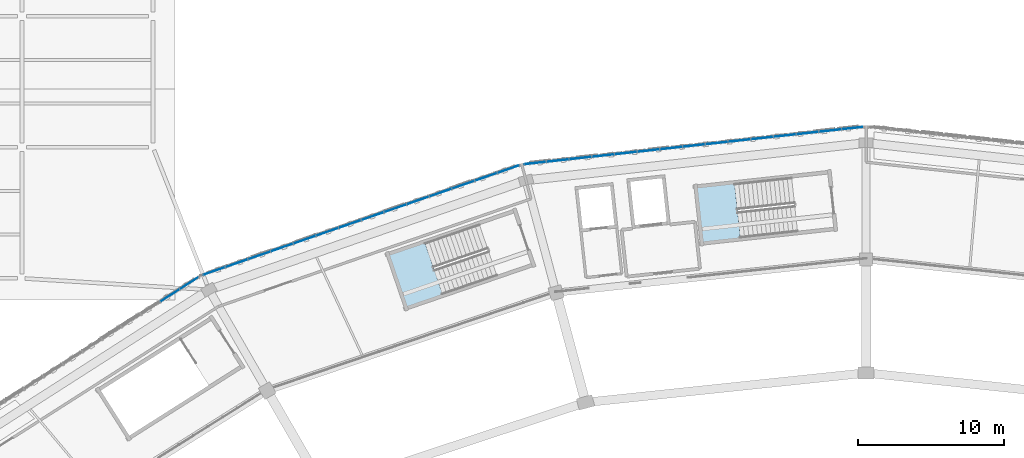
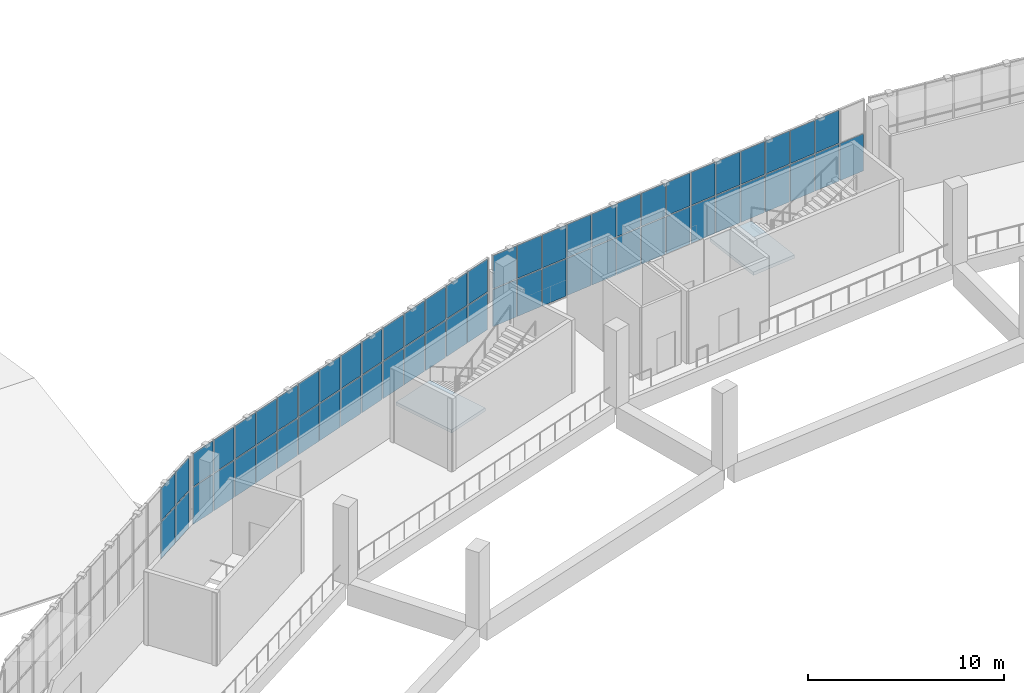
# One storey, part 62 of 108: 61 plates, 2 slabs, 5 elements without a shape of their own.
"""IFC4 building model written with IfcOpenShell, lengths in metres."""

from ifc_helpers import new_model, si_unit, direction, frame, origin, origin_2d, place, context, subcontext, project, spatial, polyline, rectangle, outline, extrude, material, layer, layer_set, type_object, element, aggregate, save


model = new_model("IFC4")

# Units and contexts
model_context = context("Model", 3, precision=1e-05, world=origin(), true_north=direction((0.0, 1.0)))
body_context = subcontext(model_context, "Body", "Model", "MODEL_VIEW")
ifc_project = project(units=[si_unit("LENGTHUNIT", "METRE"), si_unit("AREAUNIT", "SQUARE_METRE"), si_unit("VOLUMEUNIT", "CUBIC_METRE"), si_unit("PLANEANGLEUNIT", "RADIAN"), si_unit("MASSUNIT", "GRAM", prefix="KILO")], contexts=[model_context])

# Site, building, storey
site_placement = place(None, origin())
site = spatial("IfcSite", under=ifc_project, at=site_placement, CompositionType="ELEMENT")
building_placement = place(site_placement, origin())
building = spatial("IfcBuilding", under=site, at=building_placement, Name="Zevraka Park Crest Stadium", CompositionType="ELEMENT")
storey_placement = place(building_placement, frame((0.0, 0.0, 19.800048828125)))
storey = spatial("IfcBuildingStorey", under=building, at=storey_placement, Name="L04", CompositionType="ELEMENT", Elevation=19.800048828125)

# Curtain wall, plates
ifc_material_1 = material(Name="Anodised architectural aluminium and laminated safety glass", Category="aluminium")
curtain_wall_type_1 = type_object("IfcCurtainWallType", Name="CW16", PredefinedType="NOTDEFINED", material=ifc_material_1)
curtain_wall_1_placement = place(storey_placement, origin())
curtain_wall_1 = element("IfcCurtainWall", 1, at=curtain_wall_1_placement, inside=storey, type_object=curtain_wall_type_1, Name="Unitised Ring Curtain Wall CW16 L04-06", PredefinedType="NOTDEFINED")
ifc_material_2 = material(Name="Solar-control laminated double glazing", Category="glass")
ifc_layer_1 = layer(ifc_material_2, 0.031982421875)
ifc_layer_set_1 = layer_set([ifc_layer_1], Name="Solar-control laminated double glazing")
plate_type_1 = type_object("IfcPlateType", Name="CP16", PredefinedType="CURTAIN_PANEL", material=ifc_layer_set_1)
plate_1_placement = place(storey_placement, frame((111.074951171875, 168.3173828125, 0.059814453125), z_axis=(0.0, 0.0, 1.0), x_axis=(-0.993997152844, -0.109405941967, 0.0)))
plate_1 = element("IfcPlate", 2, at=plate_1_placement, type_object=plate_type_1, Name="CW16 panel 1.1", PredefinedType="CURTAIN_PANEL", context=body_context, shape_type="SweptSolid", body=[
    extrude(rectangle(XDim=1.479736328125, YDim=0.031982421875, at=origin_2d()), origin(), (0.0, 0.0, 1.0), 2.31005859375),
])
plate_2_placement = place(storey_placement, frame((109.529541015625, 168.1474609375, 0.059814453125), z_axis=(0.0, 0.0, 1.0), x_axis=(-0.993997152844, -0.109405941967, 0.0)))
plate_2 = element("IfcPlate", 3, at=plate_2_placement, type_object=plate_type_1, Name="CW16 panel 2.1", PredefinedType="CURTAIN_PANEL", context=body_context, shape_type="SweptSolid", body=[
    extrude(rectangle(XDim=1.509765625, YDim=0.031982421875, at=origin_2d()), origin(), (0.0, 0.0, 1.0), 2.31005859375),
])
plate_3_placement = place(storey_placement, frame((109.529541015625, 168.1474609375, 2.4296875), z_axis=(0.0, 0.0, 1.0), x_axis=(-0.993997152844, -0.109405941967, 0.0)))
plate_3 = element("IfcPlate", 4, at=plate_3_placement, type_object=plate_type_1, Name="CW16 panel 2.2", PredefinedType="CURTAIN_PANEL", context=body_context, shape_type="SweptSolid", body=[
    extrude(rectangle(XDim=1.509765625, YDim=0.031982421875, at=origin_2d()), origin(), (0.0, 0.0, 1.0), 2.050048828125),
])
plate_4_placement = place(storey_placement, frame((107.96923828125, 167.9755859375, 0.059814453125), z_axis=(0.0, 0.0, 1.0), x_axis=(-0.993997152844, -0.109405941967, 0.0)))
plate_4 = element("IfcPlate", 5, at=plate_4_placement, type_object=plate_type_1, Name="CW16 panel 3.1", PredefinedType="CURTAIN_PANEL", context=body_context, shape_type="SweptSolid", body=[
    extrude(rectangle(XDim=1.509765625, YDim=0.031982421875, at=origin_2d()), origin(), (0.0, 0.0, 1.0), 2.31005859375),
])
plate_5_placement = place(storey_placement, frame((107.96923828125, 167.9755859375, 2.4296875), z_axis=(0.0, 0.0, 1.0), x_axis=(-0.993997152844, -0.109405941967, 0.0)))
plate_5 = element("IfcPlate", 6, at=plate_5_placement, type_object=plate_type_1, Name="CW16 panel 3.2", PredefinedType="CURTAIN_PANEL", context=body_context, shape_type="SweptSolid", body=[
    extrude(rectangle(XDim=1.509765625, YDim=0.031982421875, at=origin_2d()), origin(), (0.0, 0.0, 1.0), 2.050048828125),
])
plate_6_placement = place(storey_placement, frame((106.4091796875, 167.803955078125, 0.059814453125), z_axis=(0.0, 0.0, 1.0), x_axis=(-0.993997152844, -0.109405941967, 0.0)))
plate_6 = element("IfcPlate", 7, at=plate_6_placement, type_object=plate_type_1, Name="CW16 panel 4.1", PredefinedType="CURTAIN_PANEL", context=body_context, shape_type="SweptSolid", body=[
    extrude(rectangle(XDim=1.509765625, YDim=0.031982421875, at=origin_2d()), origin(), (0.0, 0.0, 1.0), 2.31005859375),
])
plate_7_placement = place(storey_placement, frame((106.4091796875, 167.803955078125, 2.4296875), z_axis=(0.0, 0.0, 1.0), x_axis=(-0.993997152844, -0.109405941967, 0.0)))
plate_7 = element("IfcPlate", 8, at=plate_7_placement, type_object=plate_type_1, Name="CW16 panel 4.2", PredefinedType="CURTAIN_PANEL", context=body_context, shape_type="SweptSolid", body=[
    extrude(rectangle(XDim=1.509765625, YDim=0.031982421875, at=origin_2d()), origin(), (0.0, 0.0, 1.0), 2.050048828125),
])
plate_8_placement = place(storey_placement, frame((104.848876953125, 167.632080078125, 0.059814453125), z_axis=(0.0, 0.0, 1.0), x_axis=(-0.993997152844, -0.109405941967, 0.0)))
plate_8 = element("IfcPlate", 9, at=plate_8_placement, type_object=plate_type_1, Name="CW16 panel 5.1", PredefinedType="CURTAIN_PANEL", context=body_context, shape_type="SweptSolid", body=[
    extrude(rectangle(XDim=1.509765625, YDim=0.031982421875, at=origin_2d()), origin(), (0.0, 0.0, 1.0), 2.31005859375),
])
plate_9_placement = place(storey_placement, frame((104.848876953125, 167.632080078125, 2.4296875), z_axis=(0.0, 0.0, 1.0), x_axis=(-0.993997152844, -0.109405941967, 0.0)))
plate_9 = element("IfcPlate", 10, at=plate_9_placement, type_object=plate_type_1, Name="CW16 panel 5.2", PredefinedType="CURTAIN_PANEL", context=body_context, shape_type="SweptSolid", body=[
    extrude(rectangle(XDim=1.509765625, YDim=0.031982421875, at=origin_2d()), origin(), (0.0, 0.0, 1.0), 2.050048828125),
])
plate_10_placement = place(storey_placement, frame((103.28857421875, 167.46044921875, 0.059814453125), z_axis=(0.0, 0.0, 1.0), x_axis=(-0.993997152844, -0.109405941967, 0.0)))
plate_10 = element("IfcPlate", 11, at=plate_10_placement, type_object=plate_type_1, Name="CW16 panel 6.1", PredefinedType="CURTAIN_PANEL", context=body_context, shape_type="SweptSolid", body=[
    extrude(rectangle(XDim=1.509765625, YDim=0.031982421875, at=origin_2d()), origin(), (0.0, 0.0, 1.0), 2.31005859375),
])
plate_11_placement = place(storey_placement, frame((103.28857421875, 167.46044921875, 2.4296875), z_axis=(0.0, 0.0, 1.0), x_axis=(-0.993997152844, -0.109405941967, 0.0)))
plate_11 = element("IfcPlate", 12, at=plate_11_placement, type_object=plate_type_1, Name="CW16 panel 6.2", PredefinedType="CURTAIN_PANEL", context=body_context, shape_type="SweptSolid", body=[
    extrude(rectangle(XDim=1.509765625, YDim=0.031982421875, at=origin_2d()), origin(), (0.0, 0.0, 1.0), 2.050048828125),
])
plate_12_placement = place(storey_placement, frame((101.728271484375, 167.288818359375, 0.059814453125), z_axis=(0.0, 0.0, 1.0), x_axis=(-0.993997152844, -0.109405941967, 0.0)))
plate_12 = element("IfcPlate", 13, at=plate_12_placement, type_object=plate_type_1, Name="CW16 panel 7.1", PredefinedType="CURTAIN_PANEL", context=body_context, shape_type="SweptSolid", body=[
    extrude(rectangle(XDim=1.509765625, YDim=0.031982421875, at=origin_2d()), origin(), (0.0, 0.0, 1.0), 2.31005859375),
])
plate_13_placement = place(storey_placement, frame((101.728271484375, 167.288818359375, 2.4296875), z_axis=(0.0, 0.0, 1.0), x_axis=(-0.993997152844, -0.109405941967, 0.0)))
plate_13 = element("IfcPlate", 14, at=plate_13_placement, type_object=plate_type_1, Name="CW16 panel 7.2", PredefinedType="CURTAIN_PANEL", context=body_context, shape_type="SweptSolid", body=[
    extrude(rectangle(XDim=1.509765625, YDim=0.031982421875, at=origin_2d()), origin(), (0.0, 0.0, 1.0), 2.050048828125),
])
plate_14_placement = place(storey_placement, frame((100.16796875, 167.116943359375, 0.059814453125), z_axis=(0.0, 0.0, 1.0), x_axis=(-0.993997152844, -0.109405941967, 0.0)))
plate_14 = element("IfcPlate", 15, at=plate_14_placement, type_object=plate_type_1, Name="CW16 panel 8.1", PredefinedType="CURTAIN_PANEL", context=body_context, shape_type="SweptSolid", body=[
    extrude(rectangle(XDim=1.509765625, YDim=0.031982421875, at=origin_2d()), origin(), (0.0, 0.0, 1.0), 2.31005859375),
])
plate_15_placement = place(storey_placement, frame((100.16796875, 167.116943359375, 2.4296875), z_axis=(0.0, 0.0, 1.0), x_axis=(-0.993997152844, -0.109405941967, 0.0)))
plate_15 = element("IfcPlate", 16, at=plate_15_placement, type_object=plate_type_1, Name="CW16 panel 8.2", PredefinedType="CURTAIN_PANEL", context=body_context, shape_type="SweptSolid", body=[
    extrude(rectangle(XDim=1.509765625, YDim=0.031982421875, at=origin_2d()), origin(), (0.0, 0.0, 1.0), 2.050048828125),
])
plate_16_placement = place(storey_placement, frame((98.607666015625, 166.9453125, 0.059814453125), z_axis=(0.0, 0.0, 1.0), x_axis=(-0.993997152844, -0.109405941967, 0.0)))
plate_16 = element("IfcPlate", 17, at=plate_16_placement, type_object=plate_type_1, Name="CW16 panel 9.1", PredefinedType="CURTAIN_PANEL", context=body_context, shape_type="SweptSolid", body=[
    extrude(rectangle(XDim=1.509765625, YDim=0.031982421875, at=origin_2d()), origin(), (0.0, 0.0, 1.0), 2.31005859375),
])
plate_17_placement = place(storey_placement, frame((98.607666015625, 166.9453125, 2.4296875), z_axis=(0.0, 0.0, 1.0), x_axis=(-0.993997152844, -0.109405941967, 0.0)))
plate_17 = element("IfcPlate", 18, at=plate_17_placement, type_object=plate_type_1, Name="CW16 panel 9.2", PredefinedType="CURTAIN_PANEL", context=body_context, shape_type="SweptSolid", body=[
    extrude(rectangle(XDim=1.509765625, YDim=0.031982421875, at=origin_2d()), origin(), (0.0, 0.0, 1.0), 2.050048828125),
])
plate_18_placement = place(storey_placement, frame((97.04736328125, 166.7734375, 0.059814453125), z_axis=(0.0, 0.0, 1.0), x_axis=(-0.993997152844, -0.109405941967, 0.0)))
plate_18 = element("IfcPlate", 19, at=plate_18_placement, type_object=plate_type_1, Name="CW16 panel 10.1", PredefinedType="CURTAIN_PANEL", context=body_context, shape_type="SweptSolid", body=[
    extrude(rectangle(XDim=1.509765625, YDim=0.031982421875, at=origin_2d()), origin(), (0.0, 0.0, 1.0), 2.31005859375),
])
plate_19_placement = place(storey_placement, frame((97.04736328125, 166.7734375, 2.4296875), z_axis=(0.0, 0.0, 1.0), x_axis=(-0.993997152844, -0.109405941967, 0.0)))
plate_19 = element("IfcPlate", 20, at=plate_19_placement, type_object=plate_type_1, Name="CW16 panel 10.2", PredefinedType="CURTAIN_PANEL", context=body_context, shape_type="SweptSolid", body=[
    extrude(rectangle(XDim=1.509765625, YDim=0.031982421875, at=origin_2d()), origin(), (0.0, 0.0, 1.0), 2.050048828125),
])
plate_20_placement = place(storey_placement, frame((95.4873046875, 166.601806640625, 0.059814453125), z_axis=(0.0, 0.0, 1.0), x_axis=(-0.993997152844, -0.109405941967, 0.0)))
plate_20 = element("IfcPlate", 21, at=plate_20_placement, type_object=plate_type_1, Name="CW16 panel 11.1", PredefinedType="CURTAIN_PANEL", context=body_context, shape_type="SweptSolid", body=[
    extrude(rectangle(XDim=1.509765625, YDim=0.031982421875, at=origin_2d()), origin(), (0.0, 0.0, 1.0), 2.31005859375),
])
plate_21_placement = place(storey_placement, frame((95.4873046875, 166.601806640625, 2.4296875), z_axis=(0.0, 0.0, 1.0), x_axis=(-0.993997152844, -0.109405941967, 0.0)))
plate_21 = element("IfcPlate", 22, at=plate_21_placement, type_object=plate_type_1, Name="CW16 panel 11.2", PredefinedType="CURTAIN_PANEL", context=body_context, shape_type="SweptSolid", body=[
    extrude(rectangle(XDim=1.509765625, YDim=0.031982421875, at=origin_2d()), origin(), (0.0, 0.0, 1.0), 2.050048828125),
])
plate_22_placement = place(storey_placement, frame((93.927001953125, 166.43017578125, 0.059814453125), z_axis=(0.0, 0.0, 1.0), x_axis=(-0.993997152844, -0.109405941967, 0.0)))
plate_22 = element("IfcPlate", 23, at=plate_22_placement, type_object=plate_type_1, Name="CW16 panel 12.1", PredefinedType="CURTAIN_PANEL", context=body_context, shape_type="SweptSolid", body=[
    extrude(rectangle(XDim=1.509765625, YDim=0.031982421875, at=origin_2d()), origin(), (0.0, 0.0, 1.0), 2.31005859375),
])
plate_23_placement = place(storey_placement, frame((93.927001953125, 166.43017578125, 2.4296875), z_axis=(0.0, 0.0, 1.0), x_axis=(-0.993997152844, -0.109405941967, 0.0)))
plate_23 = element("IfcPlate", 24, at=plate_23_placement, type_object=plate_type_1, Name="CW16 panel 12.2", PredefinedType="CURTAIN_PANEL", context=body_context, shape_type="SweptSolid", body=[
    extrude(rectangle(XDim=1.509765625, YDim=0.031982421875, at=origin_2d()), origin(), (0.0, 0.0, 1.0), 2.050048828125),
])
plate_24_placement = place(storey_placement, frame((92.36669921875, 166.25830078125, 0.059814453125), z_axis=(0.0, 0.0, 1.0), x_axis=(-0.993997152844, -0.109405941967, 0.0)))
plate_24 = element("IfcPlate", 25, at=plate_24_placement, type_object=plate_type_1, Name="CW16 panel 13.1", PredefinedType="CURTAIN_PANEL", context=body_context, shape_type="SweptSolid", body=[
    extrude(rectangle(XDim=1.509765625, YDim=0.031982421875, at=origin_2d()), origin(), (0.0, 0.0, 1.0), 2.31005859375),
])
plate_25_placement = place(storey_placement, frame((92.36669921875, 166.25830078125, 2.4296875), z_axis=(0.0, 0.0, 1.0), x_axis=(-0.993997152844, -0.109405941967, 0.0)))
plate_25 = element("IfcPlate", 26, at=plate_25_placement, type_object=plate_type_1, Name="CW16 panel 13.2", PredefinedType="CURTAIN_PANEL", context=body_context, shape_type="SweptSolid", body=[
    extrude(rectangle(XDim=1.509765625, YDim=0.031982421875, at=origin_2d()), origin(), (0.0, 0.0, 1.0), 2.050048828125),
])
plate_26_placement = place(storey_placement, frame((90.806396484375, 166.086669921875, 0.059814453125), z_axis=(0.0, 0.0, 1.0), x_axis=(-0.993997152844, -0.109405941967, 0.0)))
plate_26 = element("IfcPlate", 27, at=plate_26_placement, type_object=plate_type_1, Name="CW16 panel 14.1", PredefinedType="CURTAIN_PANEL", context=body_context, shape_type="SweptSolid", body=[
    extrude(rectangle(XDim=1.509765625, YDim=0.031982421875, at=origin_2d()), origin(), (0.0, 0.0, 1.0), 2.31005859375),
])
plate_27_placement = place(storey_placement, frame((90.806396484375, 166.086669921875, 2.4296875), z_axis=(0.0, 0.0, 1.0), x_axis=(-0.993997152844, -0.109405941967, 0.0)))
plate_27 = element("IfcPlate", 28, at=plate_27_placement, type_object=plate_type_1, Name="CW16 panel 14.2", PredefinedType="CURTAIN_PANEL", context=body_context, shape_type="SweptSolid", body=[
    extrude(rectangle(XDim=1.509765625, YDim=0.031982421875, at=origin_2d()), origin(), (0.0, 0.0, 1.0), 2.050048828125),
])
plate_28_placement = place(storey_placement, frame((89.260986328125, 165.91650390625, 0.059814453125), z_axis=(0.0, 0.0, 1.0), x_axis=(-0.993997152844, -0.109405941967, 0.0)))
plate_28 = element("IfcPlate", 29, at=plate_28_placement, type_object=plate_type_1, Name="CW16 panel 15.1", PredefinedType="CURTAIN_PANEL", context=body_context, shape_type="SweptSolid", body=[
    extrude(rectangle(XDim=1.479736328125, YDim=0.031982421875, at=origin_2d()), origin(), (0.0, 0.0, 1.0), 2.31005859375),
])
plate_29_placement = place(storey_placement, frame((89.260986328125, 165.91650390625, 2.4296875), z_axis=(0.0, 0.0, 1.0), x_axis=(-0.993997152844, -0.109405941967, 0.0)))
plate_29 = element("IfcPlate", 30, at=plate_29_placement, type_object=plate_type_1, Name="CW16 panel 15.2", PredefinedType="CURTAIN_PANEL", context=body_context, shape_type="SweptSolid", body=[
    extrude(rectangle(XDim=1.479736328125, YDim=0.031982421875, at=origin_2d()), origin(), (0.0, 0.0, 1.0), 2.050048828125),
])
aggregate(curtain_wall_1, [plate_1, plate_2, plate_3, plate_4, plate_5, plate_6, plate_7, plate_8, plate_9, plate_10, plate_11, plate_12, plate_13, plate_14, plate_15, plate_16, plate_17, plate_18, plate_19, plate_20, plate_21, plate_22, plate_23, plate_24, plate_25, plate_26, plate_27, plate_28, plate_29])

ifc_material_3 = material(Name="Anodised architectural aluminium and laminated safety glass", Category="aluminium")
curtain_wall_type_2 = type_object("IfcCurtainWallType", Name="CW17", PredefinedType="NOTDEFINED", material=ifc_material_3)
curtain_wall_2_placement = place(storey_placement, origin())
curtain_wall_2 = element("IfcCurtainWall", 31, at=curtain_wall_2_placement, inside=storey, type_object=curtain_wall_type_2, Name="Unitised Ring Curtain Wall CW17 L04-07", PredefinedType="NOTDEFINED")
ifc_material_4 = material(Name="Solar-control laminated double glazing", Category="glass")
ifc_layer_2 = layer(ifc_material_4, 0.031982421875)
ifc_layer_set_2 = layer_set([ifc_layer_2], Name="Solar-control laminated double glazing")
plate_type_2 = type_object("IfcPlateType", Name="CP17", PredefinedType="CURTAIN_PANEL", material=ifc_layer_set_2)
plate_30_placement = place(storey_placement, frame((87.41796875, 165.4970703125, 0.06494140625), z_axis=(0.0, 0.0, 1.0), x_axis=(-0.944939691816, -0.327244524523, 0.0)))
plate_30 = element("IfcPlate", 32, at=plate_30_placement, type_object=plate_type_2, Name="CW17 panel 1.1", PredefinedType="CURTAIN_PANEL", context=body_context, shape_type="SweptSolid", body=[
    extrude(rectangle(XDim=1.55078125, YDim=0.031982421875, at=origin_2d()), origin(), (0.0, 0.0, 1.0), 2.302490234375),
])
plate_31_placement = place(storey_placement, frame((87.41796875, 165.4970703125, 2.432373046875), z_axis=(0.0, 0.0, 1.0), x_axis=(-0.944939691816, -0.327244524523, 0.0)))
plate_31 = element("IfcPlate", 33, at=plate_31_placement, type_object=plate_type_2, Name="CW17 panel 1.2", PredefinedType="CURTAIN_PANEL", context=body_context, shape_type="SweptSolid", body=[
    extrude(rectangle(XDim=1.55078125, YDim=0.031982421875, at=origin_2d()), origin(), (0.0, 0.0, 1.0), 2.04248046875),
])
plate_32_placement = place(storey_placement, frame((85.8759765625, 164.962890625, 0.06494140625), z_axis=(0.0, 0.0, 1.0), x_axis=(-0.944939691816, -0.327244524523, 0.0)))
plate_32 = element("IfcPlate", 34, at=plate_32_placement, type_object=plate_type_2, Name="CW17 panel 2.1", PredefinedType="CURTAIN_PANEL", context=body_context, shape_type="SweptSolid", body=[
    extrude(rectangle(XDim=1.583251953125, YDim=0.031982421875, at=origin_2d()), origin(), (0.0, 0.0, 1.0), 2.302490234375),
])
plate_33_placement = place(storey_placement, frame((85.8759765625, 164.962890625, 2.432373046875), z_axis=(0.0, 0.0, 1.0), x_axis=(-0.944939691816, -0.327244524523, 0.0)))
plate_33 = element("IfcPlate", 35, at=plate_33_placement, type_object=plate_type_2, Name="CW17 panel 2.2", PredefinedType="CURTAIN_PANEL", context=body_context, shape_type="SweptSolid", body=[
    extrude(rectangle(XDim=1.583251953125, YDim=0.031982421875, at=origin_2d()), origin(), (0.0, 0.0, 1.0), 2.04248046875),
])
plate_34_placement = place(storey_placement, frame((84.318359375, 164.423583984375, 0.06494140625), z_axis=(0.0, 0.0, 1.0), x_axis=(-0.944939691816, -0.327244524523, 0.0)))
plate_34 = element("IfcPlate", 36, at=plate_34_placement, type_object=plate_type_2, Name="CW17 panel 3.1", PredefinedType="CURTAIN_PANEL", context=body_context, shape_type="SweptSolid", body=[
    extrude(rectangle(XDim=1.583251953125, YDim=0.031982421875, at=origin_2d()), origin(), (0.0, 0.0, 1.0), 2.302490234375),
])
plate_35_placement = place(storey_placement, frame((84.318359375, 164.423583984375, 2.432373046875), z_axis=(0.0, 0.0, 1.0), x_axis=(-0.944939691816, -0.327244524523, 0.0)))
plate_35 = element("IfcPlate", 37, at=plate_35_placement, type_object=plate_type_2, Name="CW17 panel 3.2", PredefinedType="CURTAIN_PANEL", context=body_context, shape_type="SweptSolid", body=[
    extrude(rectangle(XDim=1.583251953125, YDim=0.031982421875, at=origin_2d()), origin(), (0.0, 0.0, 1.0), 2.04248046875),
])
plate_36_placement = place(storey_placement, frame((82.760986328125, 163.88427734375, 0.06494140625), z_axis=(0.0, 0.0, 1.0), x_axis=(-0.944939691816, -0.327244524523, 0.0)))
plate_36 = element("IfcPlate", 38, at=plate_36_placement, type_object=plate_type_2, Name="CW17 panel 4.1", PredefinedType="CURTAIN_PANEL", context=body_context, shape_type="SweptSolid", body=[
    extrude(rectangle(XDim=1.583251953125, YDim=0.031982421875, at=origin_2d()), origin(), (0.0, 0.0, 1.0), 2.302490234375),
])
plate_37_placement = place(storey_placement, frame((82.760986328125, 163.88427734375, 2.432373046875), z_axis=(0.0, 0.0, 1.0), x_axis=(-0.944939691816, -0.327244524523, 0.0)))
plate_37 = element("IfcPlate", 39, at=plate_37_placement, type_object=plate_type_2, Name="CW17 panel 4.2", PredefinedType="CURTAIN_PANEL", context=body_context, shape_type="SweptSolid", body=[
    extrude(rectangle(XDim=1.583251953125, YDim=0.031982421875, at=origin_2d()), origin(), (0.0, 0.0, 1.0), 2.04248046875),
])
plate_38_placement = place(storey_placement, frame((81.20361328125, 163.344970703125, 0.06494140625), z_axis=(0.0, 0.0, 1.0), x_axis=(-0.944939691816, -0.327244524523, 0.0)))
plate_38 = element("IfcPlate", 40, at=plate_38_placement, type_object=plate_type_2, Name="CW17 panel 5.1", PredefinedType="CURTAIN_PANEL", context=body_context, shape_type="SweptSolid", body=[
    extrude(rectangle(XDim=1.583251953125, YDim=0.031982421875, at=origin_2d()), origin(), (0.0, 0.0, 1.0), 2.302490234375),
])
plate_39_placement = place(storey_placement, frame((81.20361328125, 163.344970703125, 2.432373046875), z_axis=(0.0, 0.0, 1.0), x_axis=(-0.944939691816, -0.327244524523, 0.0)))
plate_39 = element("IfcPlate", 41, at=plate_39_placement, type_object=plate_type_2, Name="CW17 panel 5.2", PredefinedType="CURTAIN_PANEL", context=body_context, shape_type="SweptSolid", body=[
    extrude(rectangle(XDim=1.583251953125, YDim=0.031982421875, at=origin_2d()), origin(), (0.0, 0.0, 1.0), 2.04248046875),
])
plate_40_placement = place(storey_placement, frame((79.646240234375, 162.805419921875, 0.06494140625), z_axis=(0.0, 0.0, 1.0), x_axis=(-0.944939691816, -0.327244524523, 0.0)))
plate_40 = element("IfcPlate", 42, at=plate_40_placement, type_object=plate_type_2, Name="CW17 panel 6.1", PredefinedType="CURTAIN_PANEL", context=body_context, shape_type="SweptSolid", body=[
    extrude(rectangle(XDim=1.583251953125, YDim=0.031982421875, at=origin_2d()), origin(), (0.0, 0.0, 1.0), 2.302490234375),
])
plate_41_placement = place(storey_placement, frame((79.646240234375, 162.805419921875, 2.432373046875), z_axis=(0.0, 0.0, 1.0), x_axis=(-0.944939691816, -0.327244524523, 0.0)))
plate_41 = element("IfcPlate", 43, at=plate_41_placement, type_object=plate_type_2, Name="CW17 panel 6.2", PredefinedType="CURTAIN_PANEL", context=body_context, shape_type="SweptSolid", body=[
    extrude(rectangle(XDim=1.583251953125, YDim=0.031982421875, at=origin_2d()), origin(), (0.0, 0.0, 1.0), 2.04248046875),
])
plate_42_placement = place(storey_placement, frame((78.088623046875, 162.26611328125, 0.06494140625), z_axis=(0.0, 0.0, 1.0), x_axis=(-0.944939691816, -0.327244524523, 0.0)))
plate_42 = element("IfcPlate", 44, at=plate_42_placement, type_object=plate_type_2, Name="CW17 panel 7.1", PredefinedType="CURTAIN_PANEL", context=body_context, shape_type="SweptSolid", body=[
    extrude(rectangle(XDim=1.583251953125, YDim=0.031982421875, at=origin_2d()), origin(), (0.0, 0.0, 1.0), 2.302490234375),
])
plate_43_placement = place(storey_placement, frame((78.088623046875, 162.26611328125, 2.432373046875), z_axis=(0.0, 0.0, 1.0), x_axis=(-0.944939691816, -0.327244524523, 0.0)))
plate_43 = element("IfcPlate", 45, at=plate_43_placement, type_object=plate_type_2, Name="CW17 panel 7.2", PredefinedType="CURTAIN_PANEL", context=body_context, shape_type="SweptSolid", body=[
    extrude(rectangle(XDim=1.583251953125, YDim=0.031982421875, at=origin_2d()), origin(), (0.0, 0.0, 1.0), 2.04248046875),
])
plate_44_placement = place(storey_placement, frame((76.53125, 161.726806640625, 0.06494140625), z_axis=(0.0, 0.0, 1.0), x_axis=(-0.944939691816, -0.327244524523, 0.0)))
plate_44 = element("IfcPlate", 46, at=plate_44_placement, type_object=plate_type_2, Name="CW17 panel 8.1", PredefinedType="CURTAIN_PANEL", context=body_context, shape_type="SweptSolid", body=[
    extrude(rectangle(XDim=1.583251953125, YDim=0.031982421875, at=origin_2d()), origin(), (0.0, 0.0, 1.0), 2.302490234375),
])
plate_45_placement = place(storey_placement, frame((76.53125, 161.726806640625, 2.432373046875), z_axis=(0.0, 0.0, 1.0), x_axis=(-0.944939691816, -0.327244524523, 0.0)))
plate_45 = element("IfcPlate", 47, at=plate_45_placement, type_object=plate_type_2, Name="CW17 panel 8.2", PredefinedType="CURTAIN_PANEL", context=body_context, shape_type="SweptSolid", body=[
    extrude(rectangle(XDim=1.583251953125, YDim=0.031982421875, at=origin_2d()), origin(), (0.0, 0.0, 1.0), 2.04248046875),
])
plate_46_placement = place(storey_placement, frame((74.973876953125, 161.1875, 0.06494140625), z_axis=(0.0, 0.0, 1.0), x_axis=(-0.944939691816, -0.327244524523, 0.0)))
plate_46 = element("IfcPlate", 48, at=plate_46_placement, type_object=plate_type_2, Name="CW17 panel 9.1", PredefinedType="CURTAIN_PANEL", context=body_context, shape_type="SweptSolid", body=[
    extrude(rectangle(XDim=1.583251953125, YDim=0.031982421875, at=origin_2d()), origin(), (0.0, 0.0, 1.0), 2.302490234375),
])
plate_47_placement = place(storey_placement, frame((74.973876953125, 161.1875, 2.432373046875), z_axis=(0.0, 0.0, 1.0), x_axis=(-0.944939691816, -0.327244524523, 0.0)))
plate_47 = element("IfcPlate", 49, at=plate_47_placement, type_object=plate_type_2, Name="CW17 panel 9.2", PredefinedType="CURTAIN_PANEL", context=body_context, shape_type="SweptSolid", body=[
    extrude(rectangle(XDim=1.583251953125, YDim=0.031982421875, at=origin_2d()), origin(), (0.0, 0.0, 1.0), 2.04248046875),
])
plate_48_placement = place(storey_placement, frame((73.41650390625, 160.648193359375, 0.06494140625), z_axis=(0.0, 0.0, 1.0), x_axis=(-0.944939691816, -0.327244524523, 0.0)))
plate_48 = element("IfcPlate", 50, at=plate_48_placement, type_object=plate_type_2, Name="CW17 panel 10.1", PredefinedType="CURTAIN_PANEL", context=body_context, shape_type="SweptSolid", body=[
    extrude(rectangle(XDim=1.583251953125, YDim=0.031982421875, at=origin_2d()), origin(), (0.0, 0.0, 1.0), 2.302490234375),
])
plate_49_placement = place(storey_placement, frame((73.41650390625, 160.648193359375, 2.432373046875), z_axis=(0.0, 0.0, 1.0), x_axis=(-0.944939691816, -0.327244524523, 0.0)))
plate_49 = element("IfcPlate", 51, at=plate_49_placement, type_object=plate_type_2, Name="CW17 panel 10.2", PredefinedType="CURTAIN_PANEL", context=body_context, shape_type="SweptSolid", body=[
    extrude(rectangle(XDim=1.583251953125, YDim=0.031982421875, at=origin_2d()), origin(), (0.0, 0.0, 1.0), 2.04248046875),
])
plate_50_placement = place(storey_placement, frame((71.85888671875, 160.108642578125, 0.06494140625), z_axis=(0.0, 0.0, 1.0), x_axis=(-0.944939691816, -0.327244524523, 0.0)))
plate_50 = element("IfcPlate", 52, at=plate_50_placement, type_object=plate_type_2, Name="CW17 panel 11.1", PredefinedType="CURTAIN_PANEL", context=body_context, shape_type="SweptSolid", body=[
    extrude(rectangle(XDim=1.583251953125, YDim=0.031982421875, at=origin_2d()), origin(), (0.0, 0.0, 1.0), 2.302490234375),
])
plate_51_placement = place(storey_placement, frame((71.85888671875, 160.108642578125, 2.432373046875), z_axis=(0.0, 0.0, 1.0), x_axis=(-0.944939691816, -0.327244524523, 0.0)))
plate_51 = element("IfcPlate", 53, at=plate_51_placement, type_object=plate_type_2, Name="CW17 panel 11.2", PredefinedType="CURTAIN_PANEL", context=body_context, shape_type="SweptSolid", body=[
    extrude(rectangle(XDim=1.583251953125, YDim=0.031982421875, at=origin_2d()), origin(), (0.0, 0.0, 1.0), 2.04248046875),
])
plate_52_placement = place(storey_placement, frame((70.301513671875, 159.5693359375, 0.06494140625), z_axis=(0.0, 0.0, 1.0), x_axis=(-0.944939691816, -0.327244524523, 0.0)))
plate_52 = element("IfcPlate", 54, at=plate_52_placement, type_object=plate_type_2, Name="CW17 panel 12.1", PredefinedType="CURTAIN_PANEL", context=body_context, shape_type="SweptSolid", body=[
    extrude(rectangle(XDim=1.583251953125, YDim=0.031982421875, at=origin_2d()), origin(), (0.0, 0.0, 1.0), 2.302490234375),
])
plate_53_placement = place(storey_placement, frame((70.301513671875, 159.5693359375, 2.432373046875), z_axis=(0.0, 0.0, 1.0), x_axis=(-0.944939691816, -0.327244524523, 0.0)))
plate_53 = element("IfcPlate", 55, at=plate_53_placement, type_object=plate_type_2, Name="CW17 panel 12.2", PredefinedType="CURTAIN_PANEL", context=body_context, shape_type="SweptSolid", body=[
    extrude(rectangle(XDim=1.583251953125, YDim=0.031982421875, at=origin_2d()), origin(), (0.0, 0.0, 1.0), 2.04248046875),
])
plate_54_placement = place(storey_placement, frame((68.744140625, 159.030029296875, 0.06494140625), z_axis=(0.0, 0.0, 1.0), x_axis=(-0.944939691816, -0.327244524523, 0.0)))
plate_54 = element("IfcPlate", 56, at=plate_54_placement, type_object=plate_type_2, Name="CW17 panel 13.1", PredefinedType="CURTAIN_PANEL", context=body_context, shape_type="SweptSolid", body=[
    extrude(rectangle(XDim=1.583251953125, YDim=0.031982421875, at=origin_2d()), origin(), (0.0, 0.0, 1.0), 2.302490234375),
])
plate_55_placement = place(storey_placement, frame((68.744140625, 159.030029296875, 2.432373046875), z_axis=(0.0, 0.0, 1.0), x_axis=(-0.944939691816, -0.327244524523, 0.0)))
plate_55 = element("IfcPlate", 57, at=plate_55_placement, type_object=plate_type_2, Name="CW17 panel 13.2", PredefinedType="CURTAIN_PANEL", context=body_context, shape_type="SweptSolid", body=[
    extrude(rectangle(XDim=1.583251953125, YDim=0.031982421875, at=origin_2d()), origin(), (0.0, 0.0, 1.0), 2.04248046875),
])
plate_56_placement = place(storey_placement, frame((67.2021484375, 158.49609375, 0.06494140625), z_axis=(0.0, 0.0, 1.0), x_axis=(-0.944939691816, -0.327244524523, 0.0)))
plate_56 = element("IfcPlate", 58, at=plate_56_placement, type_object=plate_type_2, Name="CW17 panel 14.1", PredefinedType="CURTAIN_PANEL", context=body_context, shape_type="SweptSolid", body=[
    extrude(rectangle(XDim=1.55078125, YDim=0.031982421875, at=origin_2d()), origin(), (0.0, 0.0, 1.0), 2.302490234375),
])
plate_57_placement = place(storey_placement, frame((67.2021484375, 158.49609375, 2.432373046875), z_axis=(0.0, 0.0, 1.0), x_axis=(-0.944939691816, -0.327244524523, 0.0)))
plate_57 = element("IfcPlate", 59, at=plate_57_placement, type_object=plate_type_2, Name="CW17 panel 14.2", PredefinedType="CURTAIN_PANEL", context=body_context, shape_type="SweptSolid", body=[
    extrude(rectangle(XDim=1.55078125, YDim=0.031982421875, at=origin_2d()), origin(), (0.0, 0.0, 1.0), 2.04248046875),
])
aggregate(curtain_wall_2, [plate_30, plate_31, plate_32, plate_33, plate_34, plate_35, plate_36, plate_37, plate_38, plate_39, plate_40, plate_41, plate_42, plate_43, plate_44, plate_45, plate_46, plate_47, plate_48, plate_49, plate_50, plate_51, plate_52, plate_53, plate_54, plate_55, plate_56, plate_57])

ifc_material_5 = material(Name="Anodised architectural aluminium and laminated safety glass", Category="aluminium")
curtain_wall_type_3 = type_object("IfcCurtainWallType", Name="CW18", PredefinedType="NOTDEFINED", material=ifc_material_5)
curtain_wall_3_placement = place(storey_placement, origin())
curtain_wall_3 = element("IfcCurtainWall", 60, at=curtain_wall_3_placement, inside=storey, type_object=curtain_wall_type_3, Name="Unitised Ring Curtain Wall CW18 L04-08", PredefinedType="NOTDEFINED")
ifc_material_6 = material(Name="Solar-control laminated double glazing", Category="glass")
ifc_layer_3 = layer(ifc_material_6, 0.031982421875)
ifc_layer_set_3 = layer_set([ifc_layer_3], Name="Solar-control laminated double glazing")
plate_type_3 = type_object("IfcPlateType", Name="CP18", PredefinedType="CURTAIN_PANEL", material=ifc_layer_set_3)
plate_58_placement = place(storey_placement, frame((65.491943359375, 157.669677734375, 0.070068359375), z_axis=(0.0, 0.0, 1.0), x_axis=(-0.841677883781, -0.539979944029, 0.0)))
plate_58 = element("IfcPlate", 61, at=plate_58_placement, type_object=plate_type_3, Name="CW18 panel 1.1", PredefinedType="CURTAIN_PANEL", context=body_context, shape_type="SweptSolid", body=[
    extrude(rectangle(XDim=1.483154296875, YDim=0.031982421875, at=origin_2d()), origin(), (0.0, 0.0, 1.0), 2.294921875),
])
plate_59_placement = place(storey_placement, frame((65.491943359375, 157.669677734375, 2.43505859375), z_axis=(0.0, 0.0, 1.0), x_axis=(-0.841677883781, -0.539979944029, 0.0)))
plate_59 = element("IfcPlate", 62, at=plate_59_placement, type_object=plate_type_3, Name="CW18 panel 1.2", PredefinedType="CURTAIN_PANEL", context=body_context, shape_type="SweptSolid", body=[
    extrude(rectangle(XDim=1.483154296875, YDim=0.031982421875, at=origin_2d()), origin(), (0.0, 0.0, 1.0), 2.034912109375),
])
plate_60_placement = place(storey_placement, frame((64.169921875, 156.821533203125, 0.070068359375), z_axis=(0.0, 0.0, 1.0), x_axis=(-0.841677883781, -0.539979944029, 0.0)))
plate_60 = element("IfcPlate", 63, at=plate_60_placement, type_object=plate_type_3, Name="CW18 panel 2.1", PredefinedType="CURTAIN_PANEL", context=body_context, shape_type="SweptSolid", body=[
    extrude(rectangle(XDim=1.51806640625, YDim=0.031982421875, at=origin_2d()), origin(), (0.0, 0.0, 1.0), 2.294921875),
])
plate_61_placement = place(storey_placement, frame((64.169921875, 156.821533203125, 2.43505859375), z_axis=(0.0, 0.0, 1.0), x_axis=(-0.841677883781, -0.539979944029, 0.0)))
plate_61 = element("IfcPlate", 64, at=plate_61_placement, type_object=plate_type_3, Name="CW18 panel 2.2", PredefinedType="CURTAIN_PANEL", context=body_context, shape_type="SweptSolid", body=[
    extrude(rectangle(XDim=1.51806640625, YDim=0.031982421875, at=origin_2d()), origin(), (0.0, 0.0, 1.0), 2.034912109375),
])
aggregate(curtain_wall_3, [plate_58, plate_59, plate_60, plate_61])

# Stair, slab
ifc_material_7 = material(Name="Concrete C35/45", Category="concrete")
stair_type = type_object("IfcStairType", Name="STA2", PredefinedType="HALF_TURN_STAIR", material=ifc_material_7)
stair_1_placement = place(storey_placement, origin())
stair_1 = element("IfcStair", 65, at=stair_1_placement, inside=storey, type_object=stair_type, Name="L04 Protected Concourse Exit Stair ST07", PredefinedType="HALF_TURN_STAIR")
ifc_material_8 = material(Name="Concrete C35/45", Category="concrete")
ifc_layer_4 = layer(ifc_material_8, 0.199951171875)
ifc_layer_set_4 = layer_set([ifc_layer_4], Name="Concrete C35/45")
slab_type = type_object("IfcSlabType", Name="LS01", PredefinedType="LANDING", material=ifc_layer_set_4)
slab_1_placement = place(storey_placement, frame((0.0, 0.0, 2.199951171875)))
slab_1 = element("IfcSlab", 66, at=slab_1_placement, type_object=slab_type, Name="ST07 landing 1", PredefinedType="LANDING", context=body_context, shape_type="SweptSolid", body=[
    extrude(outline(polyline([(102.9609375, 164.507080078125), (100.3662109375, 164.224609375), (100.77294921875, 160.48681640625), (103.36767578125, 160.769287109375), (102.9609375, 164.507080078125)])), origin(), (0.0, 0.0, 1.0), 0.199951171875),
])
aggregate(stair_1, [slab_1])

stair_2_placement = place(storey_placement, origin())
stair_2 = element("IfcStair", 67, at=stair_2_placement, inside=storey, type_object=stair_type, Name="L04 Protected Concourse Exit Stair ST08", PredefinedType="HALF_TURN_STAIR")
slab_2_placement = place(storey_placement, frame((0.0, 0.0, 2.199951171875)))
slab_2 = element("IfcSlab", 68, at=slab_2_placement, type_object=slab_type, Name="ST08 landing 1", PredefinedType="LANDING", context=body_context, shape_type="SweptSolid", body=[
    extrude(outline(polyline([(81.689453125, 160.442626953125), (79.22021484375, 159.596923828125), (80.438232421875, 156.039794921875), (82.907470703125, 156.885498046875), (81.689453125, 160.442626953125)])), origin(), (0.0, 0.0, 1.0), 0.199951171875),
])
aggregate(stair_2, [slab_2])

save(model, "model.ifc")
